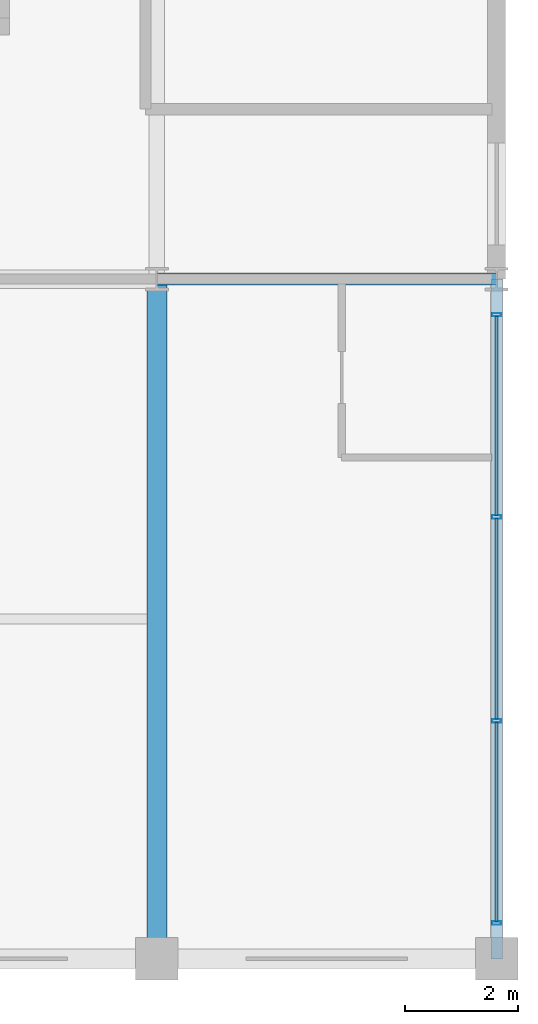
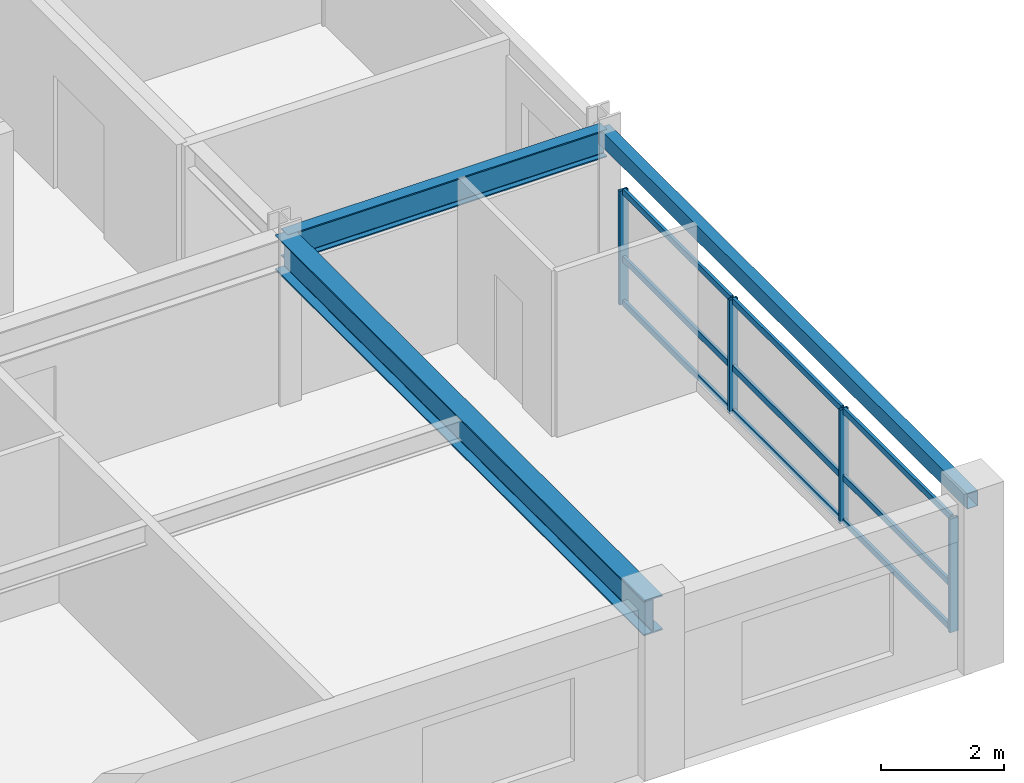
# One storey, part 9 of 20: 13 members, 3 beams, 1 element without a shape of its own.
"""IFC4 building model written with IfcOpenShell, lengths in metres."""

from ifc_helpers import new_model, si_unit, direction, frame, origin, origin_2d, place, context, subcontext, project, spatial, hollow_rectangle, i_section, extrude, material, material_profile, profile_set, type_object, element, aggregate, save


model = new_model("IFC4")

# Units and contexts
model_context = context("Model", 3, precision=1e-05, world=origin(), true_north=direction((0.0, 1.0)))
body_context = subcontext(model_context, "Body", "Model", "MODEL_VIEW")
ifc_project = project(units=[si_unit("LENGTHUNIT", "METRE"), si_unit("AREAUNIT", "SQUARE_METRE"), si_unit("VOLUMEUNIT", "CUBIC_METRE"), si_unit("PLANEANGLEUNIT", "RADIAN"), si_unit("MASSUNIT", "GRAM", prefix="KILO")], contexts=[model_context])

# Site, building, storey
site_placement = place(None, origin())
site = spatial("IfcSite", under=ifc_project, at=site_placement, CompositionType="ELEMENT")
building_placement = place(site_placement, origin())
building = spatial("IfcBuilding", under=site, at=building_placement, Name="Kaldorvane Square Convention Centre", CompositionType="ELEMENT")
storey_placement = place(building_placement, frame((0.0, 0.0, 52.80000305175781)))
storey = spatial("IfcBuildingStorey", under=building, at=storey_placement, Name="L12", CompositionType="ELEMENT", Elevation=52.80000305175781)

# Beams
ifc_material_1 = material(Name="Steel ASTM A992 Gr. 50", Category="steel")
ifc_material_profile_1 = material_profile(ifc_material_1, i_section(OverallWidth=0.213897705078125, OverallDepth=0.549102783203125, WebThickness=0.0146942138671875, FlangeThickness=0.0236053466796875, FilletRadius=0.0126953125, at=origin_2d()), Name="W21X93")
ifc_profile_set_1 = profile_set([ifc_material_profile_1], Name="Steel ASTM A992 Gr. 50")
beam_type_1 = type_object("IfcBeamType", Name="BM-GR-W21X93", PredefinedType="BEAM", material=ifc_profile_set_1)
beam_1_placement = place(storey_placement, frame((78.0, 96.0, 3.0114898681640625), z_axis=(1.0, 0.0, 0.0), x_axis=(0.0, 1.0, 0.0)))
element("IfcBeam", 1, at=beam_1_placement, inside=storey, type_object=beam_type_1, Name="Primary Girder (L12)", PredefinedType="BEAM", context=body_context, shape_type="SweptSolid", body=[
    extrude(i_section(OverallWidth=0.213897705078125, OverallDepth=0.549102783203125, WebThickness=0.0146942138671875, FlangeThickness=0.0236053466796875, FilletRadius=0.0126953125, at=origin_2d()), origin(), (0.0, 0.0, 1.0), 6.0),
])
ifc_material_profile_2 = material_profile(ifc_material_1, i_section(OverallWidth=0.354705810546875, OverallDepth=0.69549560546875, WebThickness=0.0153961181640625, FlangeThickness=0.0251007080078125, FilletRadius=0.01519775390625, at=origin_2d()), Name="W27X146")
ifc_profile_set_2 = profile_set([ifc_material_profile_2], Name="Steel ASTM A992 Gr. 50")
beam_type_2 = type_object("IfcBeamType", Name="BM-GR-W27X146", PredefinedType="BEAM", material=ifc_profile_set_2)
beam_2_placement = place(storey_placement, frame((78.0, 84.0, 2.93829345703125), z_axis=(0.0, 1.0, 0.0), x_axis=(-1.0, 0.0, 0.0)))
element("IfcBeam", 2, at=beam_2_placement, inside=storey, type_object=beam_type_2, Name="Transverse Girder (L12)", PredefinedType="BEAM", context=body_context, shape_type="SweptSolid", body=[
    extrude(i_section(OverallWidth=0.354705810546875, OverallDepth=0.69549560546875, WebThickness=0.0153961181640625, FlangeThickness=0.0251007080078125, FilletRadius=0.01519775390625, at=origin_2d()), origin(), (0.0, 0.0, 1.0), 12.0),
])
ifc_material_2 = material(Name="Steel ASTM A500 Gr. C", Category="steel")
ifc_material_profile_3 = material_profile(ifc_material_2, hollow_rectangle(XDim=0.2032012939453125, YDim=0.3047943115234375, WallThickness=0.0088958740234375, at=origin_2d()), Name="HSS12X8X3/8")
ifc_profile_set_3 = profile_set([ifc_material_profile_3], Name="Steel ASTM A500 Gr. C")
beam_type_3 = type_object("IfcBeamType", Name="BM-SP-HSS12", PredefinedType="SPANDREL", material=ifc_profile_set_3)
beam_3_placement = place(storey_placement, frame((84.0, 84.0, 3.1335906982421875), z_axis=(0.0, 1.0, 0.0), x_axis=(-1.0, 0.0, 0.0)))
element("IfcBeam", 3, at=beam_3_placement, inside=storey, type_object=beam_type_3, Name="End Spandrel (L12)", PredefinedType="SPANDREL", context=body_context, shape_type="SweptSolid", body=[
    extrude(hollow_rectangle(XDim=0.2032012939453125, YDim=0.3047943115234375, WallThickness=0.0088958740234375, at=origin_2d()), origin(), (0.0, 0.0, 1.0), 12.0),
])

# Curtain wall, members
ifc_material_3 = material(Name="Anodized Aluminum and Low-E Insulated Glazing", Category="aluminium")
curtain_wall_type = type_object("IfcCurtainWallType", Name="CW-UNI-HTL-A", PredefinedType="USERDEFINED", material=ifc_material_3)
curtain_wall_placement = place(storey_placement, origin())
curtain_wall = element("IfcCurtainWall", 4, at=curtain_wall_placement, inside=storey, type_object=curtain_wall_type, Name="Curtain Wall CW-10 (L12)", ObjectType="UNITISED GLAZING", PredefinedType="USERDEFINED")
ifc_material_profile_4 = material_profile(ifc_material_3, hollow_rectangle(XDim=0.05999755859375, YDim=0.160003662109375, WallThickness=0.003204345703125, at=origin_2d()), Name="CWM-160X60")
ifc_profile_set_4 = profile_set([ifc_material_profile_4], Name="Anodized Aluminum and Low-E Insulated Glazing")
member_type_1 = type_object("IfcMemberType", Name="CW-MUL-160", PredefinedType="MULLION", material=ifc_profile_set_4)
member_1_placement = place(storey_placement, frame((84.0, 84.6300048828125, 0.149993896484375), z_axis=(0.0, 0.0, 1.0), x_axis=(0.0, 1.0, 0.0)))
member_1 = element("IfcMember", 5, at=member_1_placement, type_object=member_type_1, Name="CW-10 mullion 1", PredefinedType="MULLION", context=body_context, shape_type="SweptSolid", body=[
    extrude(hollow_rectangle(XDim=0.05999755859375, YDim=0.160003662109375, WallThickness=0.003204345703125, at=origin_2d()), origin(), (0.0, 0.0, 1.0), 2.260009765625),
])
member_2_placement = place(storey_placement, frame((84.0, 88.19999694824219, 0.149993896484375), z_axis=(0.0, 0.0, 1.0), x_axis=(0.0, 1.0, 0.0)))
member_2 = element("IfcMember", 6, at=member_2_placement, type_object=member_type_1, Name="CW-10 mullion 2", PredefinedType="MULLION", context=body_context, shape_type="SweptSolid", body=[
    extrude(hollow_rectangle(XDim=0.05999755859375, YDim=0.160003662109375, WallThickness=0.003204345703125, at=origin_2d()), origin(), (0.0, 0.0, 1.0), 2.260009765625),
])
member_3_placement = place(storey_placement, frame((84.0, 91.80000305175781, 0.149993896484375), z_axis=(0.0, 0.0, 1.0), x_axis=(0.0, 1.0, 0.0)))
member_3 = element("IfcMember", 7, at=member_3_placement, type_object=member_type_1, Name="CW-10 mullion 3", PredefinedType="MULLION", context=body_context, shape_type="SweptSolid", body=[
    extrude(hollow_rectangle(XDim=0.05999755859375, YDim=0.160003662109375, WallThickness=0.003204345703125, at=origin_2d()), origin(), (0.0, 0.0, 1.0), 2.260009765625),
])
member_4_placement = place(storey_placement, frame((84.0, 95.3699951171875, 0.149993896484375), z_axis=(0.0, 0.0, 1.0), x_axis=(0.0, 1.0, 0.0)))
member_4 = element("IfcMember", 8, at=member_4_placement, type_object=member_type_1, Name="CW-10 mullion 4", PredefinedType="MULLION", context=body_context, shape_type="SweptSolid", body=[
    extrude(hollow_rectangle(XDim=0.05999755859375, YDim=0.160003662109375, WallThickness=0.003204345703125, at=origin_2d()), origin(), (0.0, 0.0, 1.0), 2.260009765625),
])
ifc_material_profile_5 = material_profile(ifc_material_3, hollow_rectangle(XDim=0.05499267578125, YDim=0.1199951171875, WallThickness=0.0030059814453125, at=origin_2d()), Name="CWT-120X55")
ifc_profile_set_5 = profile_set([ifc_material_profile_5], Name="Anodized Aluminum and Low-E Insulated Glazing")
member_type_2 = type_object("IfcMemberType", Name="CW-TRN-120", PredefinedType="USERDEFINED", material=ifc_profile_set_5)
member_5_placement = place(storey_placement, frame((84.0, 84.66000366210938, 0.177490234375), z_axis=(0.0, 1.0, 0.0), x_axis=(-1.0, 0.0, 0.0)))
member_5 = element("IfcMember", 9, at=member_5_placement, type_object=member_type_2, Name="CW-10 transom 1.1", ObjectType="TRANSOM", PredefinedType="USERDEFINED", context=body_context, shape_type="SweptSolid", body=[
    extrude(hollow_rectangle(XDim=0.05499267578125, YDim=0.1199951171875, WallThickness=0.0030059814453125, at=origin_2d()), origin(), (0.0, 0.0, 1.0), 3.5099945068359375),
])
member_6_placement = place(storey_placement, frame((84.0, 84.66000366210938, 1.0500030517578125), z_axis=(0.0, 1.0, 0.0), x_axis=(-1.0, 0.0, 0.0)))
member_6 = element("IfcMember", 10, at=member_6_placement, type_object=member_type_2, Name="CW-10 transom 1.2", ObjectType="TRANSOM", PredefinedType="USERDEFINED", context=body_context, shape_type="SweptSolid", body=[
    extrude(hollow_rectangle(XDim=0.05499267578125, YDim=0.1199951171875, WallThickness=0.0030059814453125, at=origin_2d()), origin(), (0.0, 0.0, 1.0), 3.5099945068359375),
])
member_7_placement = place(storey_placement, frame((84.0, 84.66000366210938, 2.3824920654296875), z_axis=(0.0, 1.0, 0.0), x_axis=(-1.0, 0.0, 0.0)))
member_7 = element("IfcMember", 11, at=member_7_placement, type_object=member_type_2, Name="CW-10 transom 1.3", ObjectType="TRANSOM", PredefinedType="USERDEFINED", context=body_context, shape_type="SweptSolid", body=[
    extrude(hollow_rectangle(XDim=0.05499267578125, YDim=0.1199951171875, WallThickness=0.0030059814453125, at=origin_2d()), origin(), (0.0, 0.0, 1.0), 3.5099945068359375),
])
member_8_placement = place(storey_placement, frame((84.0, 88.22999572753906, 0.177490234375), z_axis=(0.0, 1.0, 0.0), x_axis=(-1.0, 0.0, 0.0)))
member_8 = element("IfcMember", 12, at=member_8_placement, type_object=member_type_2, Name="CW-10 transom 2.1", ObjectType="TRANSOM", PredefinedType="USERDEFINED", context=body_context, shape_type="SweptSolid", body=[
    extrude(hollow_rectangle(XDim=0.05499267578125, YDim=0.1199951171875, WallThickness=0.0030059814453125, at=origin_2d()), origin(), (0.0, 0.0, 1.0), 3.540008544921875),
])
member_9_placement = place(storey_placement, frame((84.0, 88.22999572753906, 1.0500030517578125), z_axis=(0.0, 1.0, 0.0), x_axis=(-1.0, 0.0, 0.0)))
member_9 = element("IfcMember", 13, at=member_9_placement, type_object=member_type_2, Name="CW-10 transom 2.2", ObjectType="TRANSOM", PredefinedType="USERDEFINED", context=body_context, shape_type="SweptSolid", body=[
    extrude(hollow_rectangle(XDim=0.05499267578125, YDim=0.1199951171875, WallThickness=0.0030059814453125, at=origin_2d()), origin(), (0.0, 0.0, 1.0), 3.540008544921875),
])
member_10_placement = place(storey_placement, frame((84.0, 88.22999572753906, 2.3824920654296875), z_axis=(0.0, 1.0, 0.0), x_axis=(-1.0, 0.0, 0.0)))
member_10 = element("IfcMember", 14, at=member_10_placement, type_object=member_type_2, Name="CW-10 transom 2.3", ObjectType="TRANSOM", PredefinedType="USERDEFINED", context=body_context, shape_type="SweptSolid", body=[
    extrude(hollow_rectangle(XDim=0.05499267578125, YDim=0.1199951171875, WallThickness=0.0030059814453125, at=origin_2d()), origin(), (0.0, 0.0, 1.0), 3.540008544921875),
])
member_11_placement = place(storey_placement, frame((84.0, 91.83000183105469, 0.177490234375), z_axis=(0.0, 1.0, 0.0), x_axis=(-1.0, 0.0, 0.0)))
member_11 = element("IfcMember", 15, at=member_11_placement, type_object=member_type_2, Name="CW-10 transom 3.1", ObjectType="TRANSOM", PredefinedType="USERDEFINED", context=body_context, shape_type="SweptSolid", body=[
    extrude(hollow_rectangle(XDim=0.05499267578125, YDim=0.1199951171875, WallThickness=0.0030059814453125, at=origin_2d()), origin(), (0.0, 0.0, 1.0), 3.5099945068359375),
])
member_12_placement = place(storey_placement, frame((84.0, 91.83000183105469, 1.0500030517578125), z_axis=(0.0, 1.0, 0.0), x_axis=(-1.0, 0.0, 0.0)))
member_12 = element("IfcMember", 16, at=member_12_placement, type_object=member_type_2, Name="CW-10 transom 3.2", ObjectType="TRANSOM", PredefinedType="USERDEFINED", context=body_context, shape_type="SweptSolid", body=[
    extrude(hollow_rectangle(XDim=0.05499267578125, YDim=0.1199951171875, WallThickness=0.0030059814453125, at=origin_2d()), origin(), (0.0, 0.0, 1.0), 3.5099945068359375),
])
member_13_placement = place(storey_placement, frame((84.0, 91.83000183105469, 2.3824920654296875), z_axis=(0.0, 1.0, 0.0), x_axis=(-1.0, 0.0, 0.0)))
member_13 = element("IfcMember", 17, at=member_13_placement, type_object=member_type_2, Name="CW-10 transom 3.3", ObjectType="TRANSOM", PredefinedType="USERDEFINED", context=body_context, shape_type="SweptSolid", body=[
    extrude(hollow_rectangle(XDim=0.05499267578125, YDim=0.1199951171875, WallThickness=0.0030059814453125, at=origin_2d()), origin(), (0.0, 0.0, 1.0), 3.5099945068359375),
])
aggregate(curtain_wall, [member_1, member_2, member_3, member_4, member_5, member_6, member_7, member_8, member_9, member_10, member_11, member_12, member_13])

save(model, "model.ifc")
